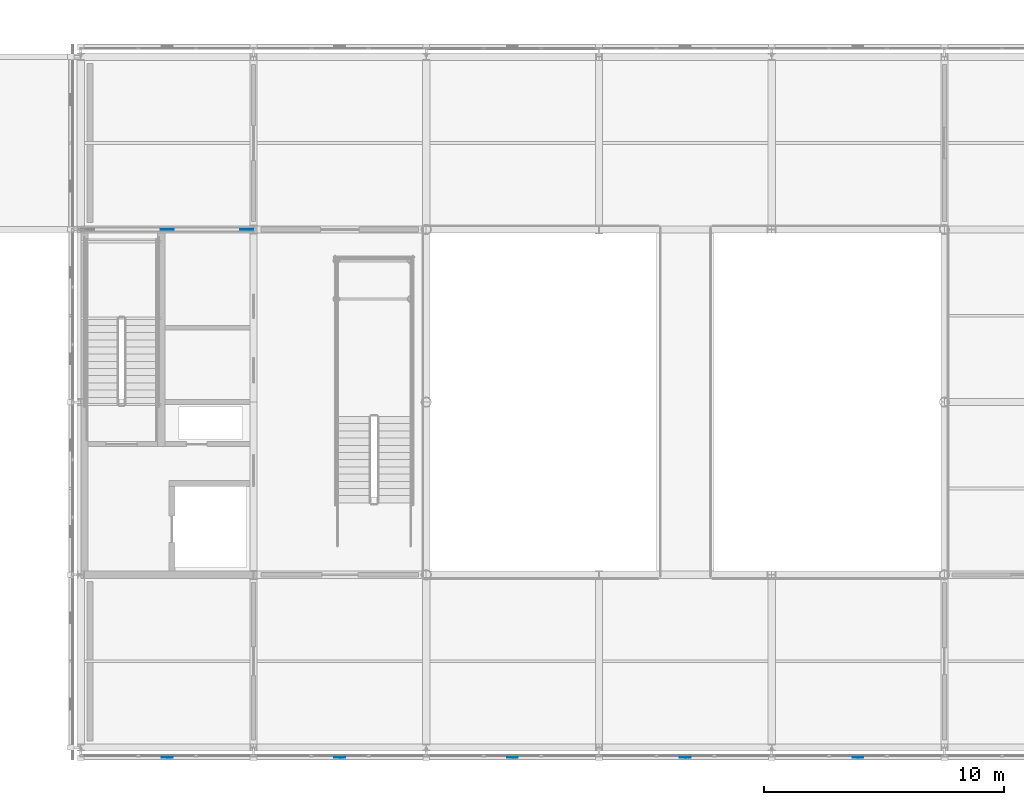
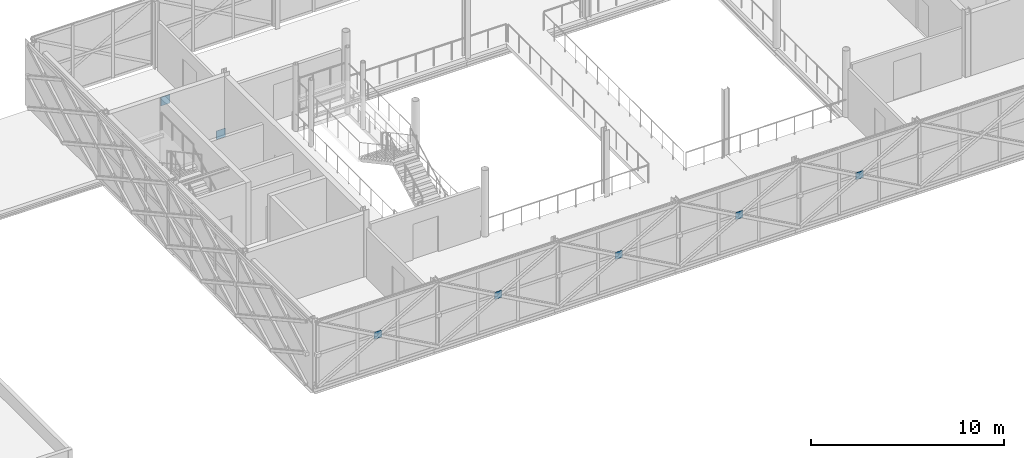
# One storey, part 75 of 103: 7 plates.
"""IFC4 building model written with IfcOpenShell, lengths in metres."""

from ifc_helpers import new_model, si_unit, direction, frame, origin, origin_2d, place, context, subcontext, project, spatial, rectangle, extrude, material, layer, layer_set, type_object, element, save


model = new_model("IFC4")

# Units and contexts
model_context = context("Model", 3, precision=1e-05, world=origin(), true_north=direction((0.0, 1.0)))
body_context = subcontext(model_context, "Body", "Model", "MODEL_VIEW")
ifc_project = project(units=[si_unit("LENGTHUNIT", "METRE"), si_unit("AREAUNIT", "SQUARE_METRE"), si_unit("VOLUMEUNIT", "CUBIC_METRE"), si_unit("PLANEANGLEUNIT", "RADIAN"), si_unit("MASSUNIT", "GRAM", prefix="KILO")], contexts=[model_context])

# Site, building, storey
site_placement = place(None, origin())
site = spatial("IfcSite", under=ifc_project, at=site_placement, CompositionType="ELEMENT")
building_placement = place(site_placement, origin())
building = spatial("IfcBuilding", under=site, at=building_placement, Name="Zlatovets Crest Museum", CompositionType="ELEMENT")
storey_placement = place(building_placement, frame((0.0, 0.0, 12.89990234375)))
storey = spatial("IfcBuildingStorey", under=building, at=storey_placement, Name="L03", CompositionType="ELEMENT", Elevation=12.89990234375)

# Plates
ifc_material = material(Name="Structural steel S355J2", Category="steel")
ifc_layer_1 = layer(ifc_material, 0.02490234375)
ifc_layer_set_1 = layer_set([ifc_layer_1], Name="Structural steel S355J2")
plate_type_1 = type_object("IfcPlateType", Name="Gusset_GP-01", PredefinedType="USERDEFINED", material=ifc_layer_set_1)
for number, where, z_axis, x_axis, name in (
    (1, (64.52001953125, 21.60009765625, 0.0048828125), (0.0, 0.0, 1.0), (1.0, 0.0, 0.0), "V2 L03 Brace End Gusset Plate GP-01"),
    (2, (61.199951171875, 21.60009765625, 3.294921875), (0.0, 0.0, 1.0), (1.0, 0.0, 0.0), "V2 L03 Brace End Gusset Plate GP-01"),
):
    element("IfcPlate", number, at=place(storey_placement, frame(where, z_axis=z_axis, x_axis=x_axis)), inside=storey, type_object=plate_type_1, Name=name, ObjectType="GUSSET", PredefinedType="USERDEFINED", context=body_context, shape_type="SweptSolid", body=[
        extrude(rectangle(XDim=0.550048828125, YDim=0.02490234375, at=origin_2d()), origin(), (0.0, 0.0, 1.0), 0.550048828125),
    ])
ifc_layer_2 = layer(ifc_material, 0.02001953125)
ifc_layer_set_2 = layer_set([ifc_layer_2], Name="Structural steel S355J2")
plate_type_2 = type_object("IfcPlateType", Name="Gusset_GP-04", PredefinedType="USERDEFINED", material=ifc_layer_set_2)
for number, where, z_axis, x_axis, name in (
    (3, (61.199951171875, -0.419921875, 1.875), (0.0, 0.0, 1.0), (1.0, 0.0, 0.0), "X-Brace Crossing Node Gusset Plate GP-04"),
    (4, (68.39990234375, -0.419921875, 1.875), (0.0, 0.0, 1.0), (1.0, 0.0, 0.0), "X-Brace Crossing Node Gusset Plate GP-04"),
    (5, (75.60009765625, -0.419921875, 1.875), (0.0, 0.0, 1.0), (1.0, 0.0, 0.0), "X-Brace Crossing Node Gusset Plate GP-04"),
    (6, (82.800048828125, -0.419921875, 1.875), (0.0, 0.0, 1.0), (1.0, 0.0, 0.0), "X-Brace Crossing Node Gusset Plate GP-04"),
    (7, (90.0, -0.419921875, 1.875), (0.0, 0.0, 1.0), (1.0, 0.0, 0.0), "X-Brace Crossing Node Gusset Plate GP-04"),
):
    element("IfcPlate", number, at=place(storey_placement, frame(where, z_axis=z_axis, x_axis=x_axis)), inside=storey, type_object=plate_type_2, Name=name, ObjectType="GUSSET", PredefinedType="USERDEFINED", context=body_context, shape_type="SweptSolid", body=[
        extrude(rectangle(XDim=0.449951171875, YDim=0.02001953125, at=origin_2d()), origin(), (0.0, 0.0, 1.0), 0.449951171875),
    ])

save(model, "model.ifc")
